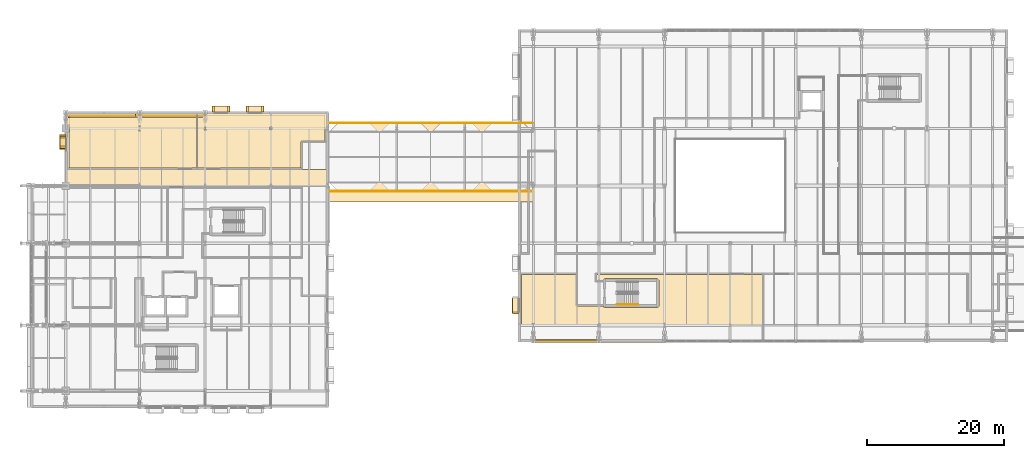
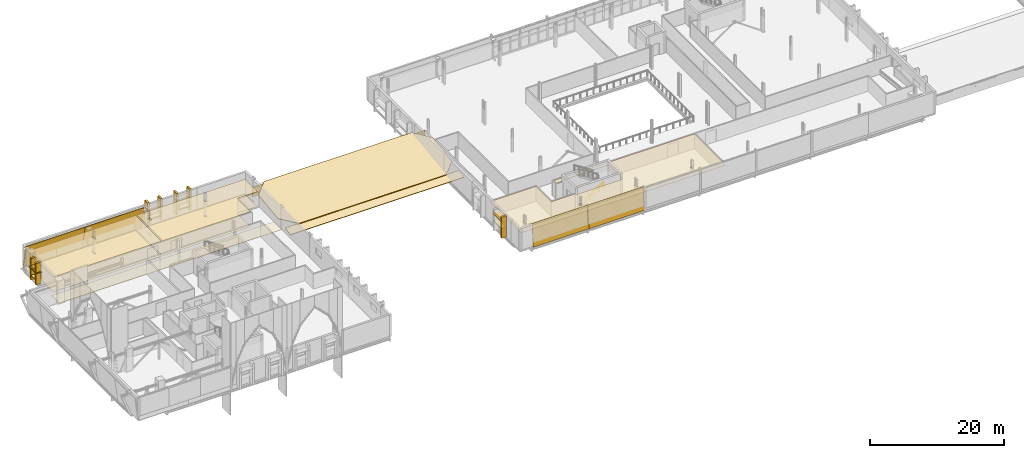
# One storey, part 76 of 90: 30 coverings, 2 shading devices, 1 railing.
"""IFC4 building model written with IfcOpenShell, lengths in metres."""

import ifcopenshell
import ifcopenshell.guid

model = None  # the IFC model being written
_history = None  # IfcOwnerHistory: only IFC2X3 demands one
_inside = {}  # id of a spatial element -> (the spatial element, [elements in it])
_under = {}  # id of a project, library or spatial element -> (it, [spatial elements below it])
_declared = {}  # id of a project -> (the project, [libraries it declares])
_typed = {}  # id of a type object -> (the type object, [elements of that type])
_made_of = {}  # id of a material, layer set ... -> (it, [elements and type objects made of it])


def new_model(schema):
    """Start an empty IFC model of exactly this schema.

    Asked for "IFC4X3", IfcOpenShell would pick the latest addendum, in which some entities
    have other attributes; the version numbers below select the first issue.
    IFC2X3 requires an IfcOwnerHistory on every rooted entity: one is made here for all.
    """
    global model, _history
    if schema == "IFC4X3":
        model = ifcopenshell.file(schema_version=(4, 3, 0, 0))
    else:
        model = ifcopenshell.file(schema=schema)
    _inside.clear()
    _under.clear()
    _declared.clear()
    _typed.clear()
    _made_of.clear()
    _history = None
    if model.schema == "IFC2X3":
        org = make("IfcOrganization", Name="unknown")
        user = make(
            "IfcPersonAndOrganization",
            ThePerson=make("IfcPerson", FamilyName="unknown"),
            TheOrganization=org,
        )
        app = make(
            "IfcApplication",
            ApplicationDeveloper=org,
            Version="unknown",
            ApplicationFullName="unknown",
            ApplicationIdentifier="unknown",
        )
        _history = make(
            "IfcOwnerHistory",
            OwningUser=user,
            OwningApplication=app,
            ChangeAction="ADDED",
            CreationDate=0,
        )
    return model


def make(cls, **values):
    """One entity of the class cls with the attributes given. An attribute that is None is left unset."""
    return model.create_entity(
        cls, **{name: value for name, value in values.items() if value is not None}
    )


def rooted(cls, **values):
    """An entity with a GlobalId (a new one), such as an element, a storey or a relation."""
    return make(cls, GlobalId=ifcopenshell.guid.new(), OwnerHistory=_history, **values)


def si_unit(unit_type, name, prefix=None):
    """IfcSIUnit, for example si_unit("LENGTHUNIT", "METRE", prefix="MILLI")."""
    return make("IfcSIUnit", UnitType=unit_type, Prefix=prefix, Name=name)


def assignment(units):
    """IfcUnitAssignment: the units of a project."""
    return None if units is None else make("IfcUnitAssignment", Units=units)


def point(xyz):
    """IfcCartesianPoint."""
    return None if xyz is None else make("IfcCartesianPoint", Coordinates=xyz)


def direction(xyz):
    """IfcDirection."""
    return None if xyz is None else make("IfcDirection", DirectionRatios=xyz)


def frame(location, z_axis=None, x_axis=None):
    """IfcAxis2Placement3D, a coordinate frame: its origin and axes. An axis left out is left unset."""
    return make(
        "IfcAxis2Placement3D",
        Location=point(location),
        Axis=direction(z_axis),
        RefDirection=direction(x_axis),
    )


def frame_2d(location, x_axis=None):
    """IfcAxis2Placement2D, a coordinate frame in the plane: its origin and x axis."""
    return make(
        "IfcAxis2Placement2D", Location=point(location), RefDirection=direction(x_axis)
    )


def origin():
    """The frame at (0, 0, 0) with its axes left unset."""
    return frame((0.0, 0.0, 0.0))


def origin_2d():
    """The frame at (0, 0) in the plane with its x axis left unset."""
    return frame_2d((0.0, 0.0))


def place(relative_to, where):
    """IfcLocalPlacement: puts the frame where relative to a parent placement (None: the world)."""
    return make(
        "IfcLocalPlacement", PlacementRelTo=relative_to, RelativePlacement=where
    )


def context(
    kind, dimensions, precision=None, world=None, true_north=None, identifier=None
):
    """IfcGeometricRepresentationContext, for example the 3D "Model" context."""
    return make(
        "IfcGeometricRepresentationContext",
        ContextIdentifier=identifier,
        ContextType=kind,
        CoordinateSpaceDimension=dimensions,
        Precision=precision,
        WorldCoordinateSystem=world,
        TrueNorth=true_north,
    )


def subcontext(parent, identifier, kind, view, scale=None):
    """IfcGeometricRepresentationSubContext, for example "Body" below "Model"."""
    return make(
        "IfcGeometricRepresentationSubContext",
        ContextIdentifier=identifier,
        ContextType=kind,
        ParentContext=parent,
        TargetScale=scale,
        TargetView=view,
    )


def project(units=None, contexts=None):
    """IfcProject with its units and contexts."""
    return rooted(
        "IfcProject",
        Name="project",
        RepresentationContexts=contexts,
        UnitsInContext=assignment(units),
    )


def spatial(cls, under=None, at=None, **own):
    """A site, building, storey or space (cls), placed at a placement, below another one or the project."""
    s = rooted(cls, ObjectPlacement=at, **own)
    if under is not None:
        _under.setdefault(under.id(), (under, []))[1].append(s)
    return s


def polyline(points):
    """IfcPolyline through the points."""
    return make("IfcPolyline", Points=[point(p) for p in points])


def profile(cls, at=None, kind="AREA", **sizes):
    """A parametric profile (cls). Its sizes go by their IFC names, for example OverallWidth=200.0."""
    return make(cls, ProfileType=kind, Position=at, **sizes)


def rectangle(**sizes):
    """IfcRectangleProfileDef."""
    return profile("IfcRectangleProfileDef", **sizes)


def circle(**sizes):
    """IfcCircleProfileDef."""
    return profile("IfcCircleProfileDef", **sizes)


def outline(outer, holes=None, kind="AREA"):
    """IfcArbitraryClosedProfileDef: a profile drawn as a closed curve; with holes, ...WithVoids."""
    if holes is None:
        return make("IfcArbitraryClosedProfileDef", ProfileType=kind, OuterCurve=outer)
    return make(
        "IfcArbitraryProfileDefWithVoids",
        ProfileType=kind,
        OuterCurve=outer,
        InnerCurves=holes,
    )


def extrude(swept, where, along, depth):
    """IfcExtrudedAreaSolid: the profile swept, set in the frame where, extruded along a direction by depth."""
    return make(
        "IfcExtrudedAreaSolid",
        SweptArea=swept,
        Position=where,
        ExtrudedDirection=direction(along),
        Depth=depth,
    )


def shape(context_of_items, identifier, shape_type, items):
    """IfcShapeRepresentation: the items that make up one representation, for example the "Body"."""
    return make(
        "IfcShapeRepresentation",
        ContextOfItems=context_of_items,
        RepresentationIdentifier=identifier,
        RepresentationType=shape_type,
        Items=items,
    )


def material(Name=None, Category=None):
    """IfcMaterial."""
    return make("IfcMaterial", Name=Name, Category=Category)


def layer(
    of_material, thickness, ventilated=None, Name=None, Category=None, Priority=None
):
    """IfcMaterialLayer: one layer of a wall or slab, of a material (None: an air gap)."""
    return make(
        "IfcMaterialLayer",
        Material=of_material,
        LayerThickness=thickness,
        IsVentilated=ventilated,
        Name=Name,
        Category=Category,
        Priority=Priority,
    )


def layer_set(layers, Name=None):
    """IfcMaterialLayerSet."""
    return make("IfcMaterialLayerSet", MaterialLayers=layers, LayerSetName=Name)


def made_of(thing, what):
    """Note that an element or type object is made of a material, layer set ...; save() writes the relation."""
    if what is not None:
        _made_of.setdefault(what.id(), (what, []))[1].append(thing)
    return thing


def type_object(cls, material=None, **own):
    """A type object (cls), such as IfcWallType, which elements share."""
    return made_of(rooted(cls, **own), material)


def element(
    cls,
    number,
    at=None,
    inside=None,
    cuts=None,
    type_object=None,
    material=None,
    context=None,
    identifier="Body",
    shape_type=None,
    held_by="IfcProductDefinitionShape",
    body=None,
    shapes=None,
    **own,
):
    """One element of the class cls, such as IfcWall. Its Tag is "e" and its number.

    at: its placement. inside: the storey or other place that contains it. cuts: it is an
    opening in that element (IfcRelVoidsElement). A single representation is given by context,
    identifier, shape_type and body (its items); several are given by shapes. held_by: the class
    of the entity that holds the representations. save() writes the other relations.
    """
    e = rooted(cls, Tag="e%d" % number, ObjectPlacement=at, **own)
    if body is not None:
        shapes = [shape(context, identifier, shape_type, body)]
    if shapes is not None:
        e.Representation = make(held_by, Representations=shapes)
    if inside is not None:
        _inside.setdefault(inside.id(), (inside, []))[1].append(e)
    if cuts is not None:
        rooted(
            "IfcRelVoidsElement", RelatingBuildingElement=cuts, RelatedOpeningElement=e
        )
    if type_object is not None:
        _typed.setdefault(type_object.id(), (type_object, []))[1].append(e)
    return made_of(e, material)


def aggregate(whole, parts):
    """IfcRelAggregates: a whole, such as a stair, and the parts it consists of."""
    return rooted("IfcRelAggregates", RelatingObject=whole, RelatedObjects=parts)


def save(model, path):
    """Write the relations noted so far, then the file.

    IfcRelAggregates (storeys below a building ...), IfcRelContainedInSpatialStructure (elements
    in a storey), IfcRelDefinesByType, IfcRelAssociatesMaterial and IfcRelDeclares: one each for
    every whole, place, type object, material and project.
    """
    for whole, parts in _under.values():
        aggregate(whole, parts)
    for where, things in _inside.values():
        rooted(
            "IfcRelContainedInSpatialStructure",
            RelatedElements=things,
            RelatingStructure=where,
        )
    for kind, things in _typed.values():
        rooted("IfcRelDefinesByType", RelatedObjects=things, RelatingType=kind)
    for what, things in _made_of.values():
        rooted("IfcRelAssociatesMaterial", RelatedObjects=things, RelatingMaterial=what)
    for by, libraries in _declared.values():
        rooted("IfcRelDeclares", RelatingContext=by, RelatedDefinitions=libraries)
    model.write(path)


model = new_model("IFC4")

# Units and contexts
model_context = context("Model", 3, precision=1e-05, world=origin(), true_north=direction((0.0, 1.0)))
body_context = subcontext(model_context, "Body", "Model", "MODEL_VIEW")
ifc_project = project(units=[si_unit("LENGTHUNIT", "METRE"), si_unit("AREAUNIT", "SQUARE_METRE"), si_unit("VOLUMEUNIT", "CUBIC_METRE"), si_unit("PLANEANGLEUNIT", "RADIAN"), si_unit("MASSUNIT", "GRAM", prefix="KILO")], contexts=[model_context])

# Site, building, storey
site_placement = place(None, origin())
site = spatial("IfcSite", under=ifc_project, at=site_placement, CompositionType="ELEMENT")
building_placement = place(site_placement, origin())
building = spatial("IfcBuilding", under=site, at=building_placement, Name="Zereglee Splitstone Museum", CompositionType="ELEMENT")
storey_placement = place(building_placement, frame((0.0, 0.0, 4.800048828125)))
storey = spatial("IfcBuildingStorey", under=building, at=storey_placement, Name="L01", CompositionType="ELEMENT", Elevation=4.800048828125)

# Coverings
ifc_material_1 = material(Name="Siberian larch acoustic timber ceiling", Category="wood")
ifc_layer_1 = layer(ifc_material_1, 0.06005859375)
ifc_layer_set_1 = layer_set([ifc_layer_1], Name="Siberian larch acoustic timber ceiling")
covering_type_1 = type_object("IfcCoveringType", Name="CLG-01", PredefinedType="CEILING", material=ifc_layer_set_1)
covering_1_placement = place(storey_placement, frame((0.0, 0.0, 2.699951171875)))
element("IfcCovering", 1, at=covering_1_placement, inside=storey, type_object=covering_type_1, Name="Acoustic Ceiling L01-022", PredefinedType="CEILING", context=body_context, shape_type="SweptSolid", body=[
    extrude(outline(polyline([(10.06005859375, 37.842041015625), (10.157958984375, 37.842041015625), (10.157958984375, 38.9580078125), (10.06005859375, 38.9580078125), (10.06005859375, 40.340087890625), (28.699951171875, 40.340087890625), (28.699951171875, 32.580078125), (10.06005859375, 32.580078125), (10.06005859375, 37.842041015625)]), holes=[polyline([(20.55810546875, 38.758056640625), (20.241943359375, 38.758056640625), (20.241943359375, 38.7099609375), (20.383544921875, 38.7099609375), (20.383544921875, 38.090087890625), (20.241943359375, 38.090087890625), (20.241943359375, 38.0419921875), (20.55810546875, 38.0419921875), (20.55810546875, 38.090087890625), (20.41650390625, 38.090087890625), (20.41650390625, 38.7099609375), (20.55810546875, 38.7099609375), (20.55810546875, 38.758056640625)])]), origin(), (0.0, 0.0, 1.0), 0.06005859375),
])
covering_2_placement = place(storey_placement, frame((0.0, 0.0, 2.699951171875)))
element("IfcCovering", 2, at=covering_2_placement, inside=storey, type_object=covering_type_1, Name="Acoustic Ceiling L01-023", PredefinedType="CEILING", context=body_context, shape_type="SweptSolid", body=[
    extrude(outline(polyline([(44.198974609375, 36.580078125), (44.183349609375, 36.5791015625), (44.181396484375, 36.5791015625), (44.166015625, 36.57666015625), (44.163818359375, 36.576416015625), (44.148681640625, 36.572509765625), (44.146728515625, 36.572021484375), (44.132080078125, 36.566650390625), (44.130126953125, 36.56591796875), (44.115966796875, 36.55908203125), (44.1142578125, 36.558349609375), (44.100830078125, 36.55029296875), (44.09912109375, 36.549072265625), (44.086669921875, 36.539794921875), (44.085205078125, 36.53857421875), (44.073486328125, 36.528076171875), (44.072021484375, 36.526611328125), (44.0615234375, 36.514892578125), (44.060302734375, 36.513427734375), (44.05078125, 36.500732421875), (44.0498046875, 36.499267578125), (44.041748046875, 36.485595703125), (44.040771484375, 36.48388671875), (44.0341796875, 36.4697265625), (44.033203125, 36.468017578125), (44.028076171875, 36.453125), (44.027587890625, 36.451416015625), (44.023681640625, 36.43603515625), (44.023193359375, 36.43408203125), (44.02099609375, 36.418701171875), (44.020751953125, 36.416748046875), (44.02001953125, 36.40087890625), (44.02001953125, 36.39990234375), (44.02001953125, 32.580078125), (28.89990234375, 32.580078125), (28.89990234375, 40.340087890625), (47.5400390625, 40.340087890625), (47.5400390625, 36.580078125), (44.199951171875, 36.580078125), (44.198974609375, 36.580078125)]), holes=[polyline([(39.4169921875, 38.5830078125), (39.4169921875, 38.217041015625), (39.782958984375, 38.217041015625), (39.782958984375, 38.5830078125), (39.4169921875, 38.5830078125)]), polyline([(30.157958984375, 38.591064453125), (30.157958984375, 38.633056640625), (29.842041015625, 38.633056640625), (29.842041015625, 38.591064453125), (29.985107421875, 38.591064453125), (29.985107421875, 38.208984375), (29.842041015625, 38.208984375), (29.842041015625, 38.1669921875), (30.157958984375, 38.1669921875), (30.157958984375, 38.208984375), (30.014892578125, 38.208984375), (30.014892578125, 38.591064453125), (30.157958984375, 38.591064453125)])]), origin(), (0.0, 0.0, 1.0), 0.06005859375),
])
covering_3_placement = place(storey_placement, frame((0.0, 0.0, 2.699951171875)))
element("IfcCovering", 3, at=covering_3_placement, inside=storey, type_object=covering_type_1, Name="Acoustic Ceiling L01-024", PredefinedType="CEILING", context=body_context, shape_type="SweptSolid", body=[
    extrude(outline(polyline([(87.280029296875, 17.02001953125), (111.5, 17.02001953125), (111.5, 7.659912109375), (76.260009765625, 7.659912109375), (76.260009765625, 17.02001953125), (84.219970703125, 17.02001953125), (84.219970703125, 12.60009765625), (84.219970703125, 12.59912109375), (84.220703125, 12.583251953125), (84.220947265625, 12.581298828125), (84.223388671875, 12.56591796875), (84.2236328125, 12.56396484375), (84.2275390625, 12.548583984375), (84.22802734375, 12.546875), (84.2333984375, 12.531982421875), (84.234130859375, 12.5302734375), (84.24072265625, 12.51611328125), (84.24169921875, 12.514404296875), (84.249755859375, 12.500732421875), (84.2509765625, 12.499267578125), (84.26025390625, 12.486572265625), (84.261474609375, 12.485107421875), (84.27197265625, 12.473388671875), (84.2734375, 12.471923828125), (84.28515625, 12.46142578125), (84.28662109375, 12.460205078125), (84.29931640625, 12.450927734375), (84.30078125, 12.44970703125), (84.314208984375, 12.441650390625), (84.31591796875, 12.44091796875), (84.330078125, 12.43408203125), (84.33203125, 12.433349609375), (84.3466796875, 12.427978515625), (84.3486328125, 12.427490234375), (84.364013671875, 12.423583984375), (84.365966796875, 12.42333984375), (84.38134765625, 12.4208984375), (84.38330078125, 12.4208984375), (84.39892578125, 12.419921875), (84.39990234375, 12.419921875), (88.22119140625, 12.419921875), (88.2294921875, 12.402099609375), (88.250732421875, 12.36669921875), (88.275390625, 12.33349609375), (88.302978515625, 12.302978515625), (88.33349609375, 12.275390625), (88.36669921875, 12.250732421875), (88.402099609375, 12.2294921875), (88.439208984375, 12.2119140625), (88.47802734375, 12.197998046875), (88.51806640625, 12.18798828125), (88.558837890625, 12.181884765625), (88.60009765625, 12.179931640625), (96.0, 12.179931640625), (96.041259765625, 12.181884765625), (96.081787109375, 12.18798828125), (96.121826171875, 12.197998046875), (96.16064453125, 12.2119140625), (96.197998046875, 12.2294921875), (96.2333984375, 12.250732421875), (96.266357421875, 12.275390625), (96.297119140625, 12.302978515625), (96.32470703125, 12.33349609375), (96.34912109375, 12.36669921875), (96.370361328125, 12.402099609375), (96.387939453125, 12.439208984375), (96.40185546875, 12.47802734375), (96.411865234375, 12.51806640625), (96.41796875, 12.558837890625), (96.419921875, 12.60009765625), (96.419921875, 16.0), (96.41796875, 16.041259765625), (96.411865234375, 16.081787109375), (96.40185546875, 16.121826171875), (96.387939453125, 16.16064453125), (96.370361328125, 16.197998046875), (96.34912109375, 16.2333984375), (96.32470703125, 16.266357421875), (96.297119140625, 16.297119140625), (96.266357421875, 16.32470703125), (96.2333984375, 16.34912109375), (96.197998046875, 16.370361328125), (96.16064453125, 16.387939453125), (96.121826171875, 16.40185546875), (96.081787109375, 16.411865234375), (96.041259765625, 16.41796875), (96.0, 16.419921875), (88.60009765625, 16.419921875), (88.558837890625, 16.41796875), (88.51806640625, 16.411865234375), (88.47802734375, 16.40185546875), (88.439208984375, 16.387939453125), (88.402099609375, 16.370361328125), (88.36669921875, 16.34912109375), (88.33349609375, 16.32470703125), (88.302978515625, 16.297119140625), (88.275390625, 16.266357421875), (88.250732421875, 16.2333984375), (88.2294921875, 16.197998046875), (88.22119140625, 16.179931640625), (87.280029296875, 16.179931640625), (87.280029296875, 17.02001953125)]), holes=[polyline([(78.157958984375, 9.85791015625), (77.842041015625, 9.85791015625), (77.842041015625, 9.81396484375), (77.98486328125, 9.81396484375), (77.98486328125, 9.385986328125), (77.842041015625, 9.385986328125), (77.842041015625, 9.342041015625), (78.157958984375, 9.342041015625), (78.157958984375, 9.385986328125), (78.01513671875, 9.385986328125), (78.01513671875, 9.81396484375), (78.157958984375, 9.81396484375), (78.157958984375, 9.85791015625)]), polyline([(97.35791015625, 9.907958984375), (97.0419921875, 9.907958984375), (97.0419921875, 9.862060546875), (97.184326171875, 9.862060546875), (97.184326171875, 9.337890625), (97.0419921875, 9.337890625), (97.0419921875, 9.2919921875), (97.35791015625, 9.2919921875), (97.35791015625, 9.337890625), (97.2158203125, 9.337890625), (97.2158203125, 9.862060546875), (97.35791015625, 9.862060546875), (97.35791015625, 9.907958984375)]), polyline([(106.9580078125, 9.7880859375), (106.64208984375, 9.7880859375), (106.64208984375, 9.74951171875), (106.78564453125, 9.74951171875), (106.78564453125, 9.450439453125), (106.64208984375, 9.450439453125), (106.64208984375, 9.412109375), (106.9580078125, 9.412109375), (106.9580078125, 9.450439453125), (106.814208984375, 9.450439453125), (106.814208984375, 9.74951171875), (106.9580078125, 9.74951171875), (106.9580078125, 9.7880859375)]), polyline([(87.680908203125, 9.40478515625), (87.71728515625, 9.42431640625), (87.749267578125, 9.45068359375), (87.775634765625, 9.482666015625), (87.795166015625, 9.519287109375), (87.80712890625, 9.558837890625), (87.811279296875, 9.60009765625), (87.80712890625, 9.64111328125), (87.795166015625, 9.680908203125), (87.775634765625, 9.71728515625), (87.749267578125, 9.749267578125), (87.71728515625, 9.775634765625), (87.680908203125, 9.795166015625), (87.64111328125, 9.80712890625), (87.60009765625, 9.811279296875), (87.558837890625, 9.80712890625), (87.519287109375, 9.795166015625), (87.482666015625, 9.775634765625), (87.45068359375, 9.749267578125), (87.42431640625, 9.71728515625), (87.40478515625, 9.680908203125), (87.392822265625, 9.64111328125), (87.388916015625, 9.60009765625), (87.392822265625, 9.558837890625), (87.40478515625, 9.519287109375), (87.42431640625, 9.482666015625), (87.45068359375, 9.45068359375), (87.482666015625, 9.42431640625), (87.519287109375, 9.40478515625), (87.558837890625, 9.392822265625), (87.60009765625, 9.388916015625), (87.64111328125, 9.392822265625), (87.680908203125, 9.40478515625)])]), origin(), (0.0, 0.0, 1.0), 0.06005859375),
])
ifc_material_2 = material(Name="Honed Gobi pale limestone stringcourse and soffit cladding", Category="masonry")
ifc_layer_2 = layer(ifc_material_2, 0.070068359375)
ifc_layer_set_2 = layer_set([ifc_layer_2], Name="Honed Gobi pale limestone stringcourse and soffit cladding")
covering_type_2 = type_object("IfcCoveringType", Name="CL-02", PredefinedType="CLADDING", material=ifc_layer_set_2)
for number, where, z_axis, x_axis, name in (
    (4, (38.409912109375, 41.22509765625, 0.0), (0.0, 0.0, 1.0), (-1.0, 0.0, 0.0), "Mughal Window Reveal Stone Pilaster L01-0029L"),
    (5, (36.169921875, 41.22509765625, 0.0), (0.0, 0.0, 1.0), (-1.0, 0.0, 0.0), "Mughal Window Reveal Stone Pilaster L01-0029R"),
):
    element("IfcCovering", number, at=place(storey_placement, frame(where, z_axis=z_axis, x_axis=x_axis)), inside=storey, type_object=covering_type_2, Name=name, PredefinedType="CLADDING", context=body_context, shape_type="SweptSolid", body=[
        extrude(rectangle(XDim=0.340087890625, YDim=0.860107421875, at=origin_2d()), origin(), (0.0, 0.0, 1.0), 3.89990234375),
    ])
covering_4_placement = place(storey_placement, frame((37.2900390625, 41.235107421875, 0.760009765625), z_axis=(0.0, 0.0, 1.0), x_axis=(-1.0, 0.0, 0.0)))
element("IfcCovering", 6, at=covering_4_placement, inside=storey, type_object=covering_type_2, Name="Carved Limestone Window Sill L01-0029", PredefinedType="CLADDING", context=body_context, shape_type="SweptSolid", body=[
    extrude(rectangle(XDim=2.43994140625, YDim=0.840087890625, at=origin_2d()), origin(), (0.0, 0.0, 1.0), 0.1201171875),
])
for number, where, z_axis, x_axis, name in (
    (7, (33.429931640625, 41.22509765625, 0.0), (0.0, 0.0, 1.0), (-1.0, 0.0, 0.0), "Mughal Window Reveal Stone Pilaster L01-0030L"),
    (8, (31.18994140625, 41.22509765625, 0.0), (0.0, 0.0, 1.0), (-1.0, 0.0, 0.0), "Mughal Window Reveal Stone Pilaster L01-0030R"),
):
    element("IfcCovering", number, at=place(storey_placement, frame(where, z_axis=z_axis, x_axis=x_axis)), inside=storey, type_object=covering_type_2, Name=name, PredefinedType="CLADDING", context=body_context, shape_type="SweptSolid", body=[
        extrude(rectangle(XDim=0.340087890625, YDim=0.860107421875, at=origin_2d()), origin(), (0.0, 0.0, 1.0), 3.89990234375),
    ])
covering_5_placement = place(storey_placement, frame((32.31005859375, 41.235107421875, 0.760009765625), z_axis=(0.0, 0.0, 1.0), x_axis=(-1.0, 0.0, 0.0)))
element("IfcCovering", 9, at=covering_5_placement, inside=storey, type_object=covering_type_2, Name="Carved Limestone Window Sill L01-0030", PredefinedType="CLADDING", context=body_context, shape_type="SweptSolid", body=[
    extrude(rectangle(XDim=2.43994140625, YDim=0.840087890625, at=origin_2d()), origin(), (0.0, 0.0, 1.0), 0.1201171875),
])
for number, where, z_axis, x_axis, name in (
    (10, (9.175048828125, 37.135009765625, 0.0), (0.0, 0.0, 1.0), (0.0, -1.0, 0.0), "Mughal Window Reveal Stone Pilaster L01-0031L"),
    (11, (9.175048828125, 35.64501953125, 0.0), (0.0, 0.0, 1.0), (0.0, -1.0, 0.0), "Mughal Window Reveal Stone Pilaster L01-0031R"),
):
    element("IfcCovering", number, at=place(storey_placement, frame(where, z_axis=z_axis, x_axis=x_axis)), inside=storey, type_object=covering_type_2, Name=name, PredefinedType="CLADDING", context=body_context, shape_type="SweptSolid", body=[
        extrude(rectangle(XDim=0.340087890625, YDim=0.860107421875, at=origin_2d()), origin(), (0.0, 0.0, 1.0), 3.89990234375),
    ])
covering_6_placement = place(storey_placement, frame((9.1650390625, 36.389892578125, 0.760009765625), z_axis=(0.0, 0.0, 1.0), x_axis=(0.0, -1.0, 0.0)))
element("IfcCovering", 12, at=covering_6_placement, inside=storey, type_object=covering_type_2, Name="Carved Limestone Window Sill L01-0031", PredefinedType="CLADDING", context=body_context, shape_type="SweptSolid", body=[
    extrude(rectangle(XDim=1.68994140625, YDim=0.840087890625, at=origin_2d()), origin(), (0.0, 0.0, 1.0), 0.1201171875),
])
covering_7_placement = place(storey_placement, frame((75.375, 11.389892578125, 0.0), z_axis=(0.0, 0.0, 1.0), x_axis=(0.0, -1.0, 0.0)))
element("IfcCovering", 13, at=covering_7_placement, inside=storey, type_object=covering_type_2, Name="Mughal Window Reveal Stone Pilaster L01-0035R", PredefinedType="CLADDING", context=body_context, shape_type="SweptSolid", body=[
    extrude(rectangle(XDim=0.340087890625, YDim=0.860107421875, at=origin_2d()), origin(), (0.0, 0.0, 1.0), 3.89990234375),
])
covering_8_placement = place(storey_placement, frame((75.364990234375, 12.510009765625, 1.659912109375), z_axis=(0.0, 0.0, 1.0), x_axis=(0.0, -1.0, 0.0)))
element("IfcCovering", 14, at=covering_8_placement, inside=storey, type_object=covering_type_2, Name="Carved Limestone Window Sill L01-0035", PredefinedType="CLADDING", context=body_context, shape_type="SweptSolid", body=[
    extrude(rectangle(XDim=2.43994140625, YDim=0.840087890625, at=origin_2d()), origin(), (0.0, 0.0, 1.0), 0.1201171875),
])
covering_9_placement = place(storey_placement, frame((0.0, 0.0, -0.35009765625)))
element("IfcCovering", 15, at=covering_9_placement, inside=storey, type_object=covering_type_2, Name="Hovering Stone Plinth Soffit Apron 003", PredefinedType="CLADDING", context=body_context, shape_type="SweptSolid", body=[
    extrude(outline(polyline([(9.60009765625, 30.0), (48.0, 30.0), (48.0, 32.35009765625), (9.60009765625, 32.35009765625), (9.60009765625, 30.0)])), origin(), (0.0, 0.0, 1.0), 0.070068359375),
])
covering_10_placement = place(storey_placement, frame((0.0, 0.0, -0.35009765625)))
element("IfcCovering", 16, at=covering_10_placement, inside=storey, type_object=covering_type_2, Name="Hovering Stone Plinth Soffit Apron 004", PredefinedType="CLADDING", context=body_context, shape_type="SweptSolid", body=[
    extrude(outline(polyline([(9.60009765625, 38.449951171875), (48.0, 38.449951171875), (48.0, 40.800048828125), (9.60009765625, 40.800048828125), (9.60009765625, 38.449951171875)])), origin(), (0.0, 0.0, 1.0), 0.070068359375),
])
ifc_material_3 = material(Name="Honed Khoroo red sandstone ventilated rainscreen", Category="masonry")
ifc_layer_3 = layer(ifc_material_3, 0.080078125)
ifc_layer_set_3 = layer_set([ifc_layer_3], Name="Honed Khoroo red sandstone ventilated rainscreen")
covering_type_3 = type_object("IfcCoveringType", Name="CL-01", PredefinedType="CLADDING", material=ifc_layer_set_3)
for number, where, z_axis, x_axis, name in (
    (17, (37.2900390625, 41.235107421875, 2.059814453125), (0.0, 0.0, 1.0), (-1.0, 0.0, 0.0), "Pointed-Arch Mughal Window Hood L01-0029"),
    (18, (32.31005859375, 41.235107421875, 2.059814453125), (0.0, 0.0, 1.0), (-1.0, 0.0, 0.0), "Pointed-Arch Mughal Window Hood L01-0030"),
):
    element("IfcCovering", number, at=place(storey_placement, frame(where, z_axis=z_axis, x_axis=x_axis)), inside=storey, type_object=covering_type_3, Name=name, PredefinedType="CLADDING", context=body_context, shape_type="SweptSolid", body=[
        extrude(rectangle(XDim=2.43994140625, YDim=0.860107421875, at=origin_2d()), origin(), (0.0, 0.0, 1.0), 0.580078125),
    ])
covering_11_placement = place(storey_placement, frame((9.1650390625, 36.389892578125, 2.059814453125), z_axis=(0.0, 0.0, 1.0), x_axis=(0.0, -1.0, 0.0)))
element("IfcCovering", 19, at=covering_11_placement, inside=storey, type_object=covering_type_3, Name="Pointed-Arch Mughal Window Hood L01-0031", PredefinedType="CLADDING", context=body_context, shape_type="SweptSolid", body=[
    extrude(rectangle(XDim=1.68994140625, YDim=0.860107421875, at=origin_2d()), origin(), (0.0, 0.0, 1.0), 0.580078125),
])
covering_12_placement = place(storey_placement, frame((75.364990234375, 12.510009765625, 2.9599609375), z_axis=(0.0, 0.0, 1.0), x_axis=(0.0, -1.0, 0.0)))
element("IfcCovering", 20, at=covering_12_placement, inside=storey, type_object=covering_type_3, Name="Pointed-Arch Mughal Window Hood L01-0035", PredefinedType="CLADDING", context=body_context, shape_type="SweptSolid", body=[
    extrude(rectangle(XDim=2.43994140625, YDim=0.860107421875, at=origin_2d()), origin(), (0.0, 0.0, 1.0), 0.580078125),
])
for number, where, z_axis, x_axis, name in (
    (21, (9.60009765625, 40.0732421875, 3.949951171875), (0.0, 0.98163181325, 0.190785175566), (1.0, 0.0, 0.0), "Split-Rock Continuous Inclined Facet FH-V1NL-N L01.1"),
    (22, (19.800048828125, 40.0732421875, 3.949951171875), (0.0, 0.98163181325, 0.190785175566), (1.0, 0.0, 0.0), "Split-Rock Continuous Inclined Facet FH-V1NL-N L01.2"),
):
    element("IfcCovering", number, at=place(storey_placement, frame(where, z_axis=z_axis, x_axis=x_axis)), inside=storey, type_object=covering_type_3, Name=name, PredefinedType="CLADDING", context=body_context, shape_type="SweptSolid", body=[
        extrude(outline(polyline([(0.0, 0.0), (10.199951171875, 0.0), (10.199951171875, 4.1768182335854345), (0.0, 4.1768182335854345), (0.0, 0.0)])), origin(), (0.0, 0.0, -1.0), 0.080078125),
    ])
covering_13_placement = place(storey_placement, frame((78.0, 7.080078125, -0.150146484375), z_axis=(0.0, -0.995859600442, 0.090904654488), x_axis=(1.0, 0.0, 0.0)))
element("IfcCovering", 23, at=covering_13_placement, inside=storey, type_object=covering_type_3, Name="Split-Rock Continuous Inclined Facet FH-V2SW L01.1", PredefinedType="CLADDING", context=body_context, shape_type="SweptSolid", body=[
    extrude(outline(polyline([(0.0, 0.0), (9.60009765625, 0.0), (9.60009765625, 4.117144278601649), (0.0, 4.117144278601649), (0.0, 0.0)])), origin(), (0.0, 0.0, -1.0), 0.080078125),
])
covering_14_placement = place(storey_placement, frame((87.60009765625, 7.080078125, -0.150146484375), z_axis=(0.0, -0.995859600442, 0.090904654488), x_axis=(1.0, 0.0, 0.0)))
element("IfcCovering", 24, at=covering_14_placement, inside=storey, type_object=covering_type_3, Name="Split-Rock Continuous Inclined Facet FH-V2SW L01.2", PredefinedType="CLADDING", context=body_context, shape_type="SweptSolid", body=[
    extrude(outline(polyline([(0.0, 0.0), (9.599853515625, 0.0), (9.599853515625, 4.117144278601649), (0.0, 4.117144278601649), (0.0, 0.0)])), origin(), (0.0, 0.0, -1.0), 0.080078125),
])
covering_15_placement = place(storey_placement, frame((48.14990234375, 29.14990234375, 0.0), z_axis=(0.0, -1.0, 0.0), x_axis=(1.0, 0.0, 0.0)))
element("IfcCovering", 25, at=covering_15_placement, inside=storey, type_object=covering_type_3, Name="Raked Attic Split-Rock Cladding RF-L1 S", PredefinedType="CLADDING", context=body_context, shape_type="SweptSolid", body=[
    extrude(outline(polyline([(0.0, 0.0), (29.7001953125, 0.0), (29.7001953125, 0.4345703125), (0.0, 0.4345703125), (0.0, 0.0)])), origin(), (0.0, 0.0, -1.0), 0.1201171875),
])
covering_16_placement = place(storey_placement, frame((48.14990234375, 39.25, 1.75537109375), z_axis=(0.0, 1.0, 0.0), x_axis=(1.0, 0.0, 0.0)))
element("IfcCovering", 26, at=covering_16_placement, inside=storey, type_object=covering_type_3, Name="Raked Attic Split-Rock Cladding RF-L1 N", PredefinedType="CLADDING", context=body_context, shape_type="SweptSolid", body=[
    extrude(outline(polyline([(0.0, 0.0), (29.7001953125, 0.0), (29.7001953125, 1.75537109375), (0.0, 1.75537109375), (0.0, 0.0)])), origin(), (0.0, 0.0, -1.0), 0.1201171875),
])
ifc_material_4 = material(Name="Honed Gobi granite terrazzo flooring", Category="masonry")
ifc_layer_4 = layer(ifc_material_4, 0.030029296875)
ifc_layer_set_4 = layer_set([ifc_layer_4], Name="Honed Gobi granite terrazzo flooring")
covering_type_4 = type_object("IfcCoveringType", Name="FLR-01", PredefinedType="FLOORING", material=ifc_layer_set_4)
covering_17_placement = place(storey_placement, origin())
element("IfcCovering", 27, at=covering_17_placement, inside=storey, type_object=covering_type_4, Name="Terrazzo Gallery Flooring L01-012", PredefinedType="FLOORING", context=body_context, shape_type="SweptSolid", body=[
    extrude(outline(polyline([(10.06005859375, 37.842041015625), (10.157958984375, 37.842041015625), (10.157958984375, 38.9580078125), (10.06005859375, 38.9580078125), (10.06005859375, 40.340087890625), (28.699951171875, 40.340087890625), (28.699951171875, 32.580078125), (10.06005859375, 32.580078125), (10.06005859375, 37.842041015625)]), holes=[polyline([(20.55810546875, 38.758056640625), (20.241943359375, 38.758056640625), (20.241943359375, 38.7099609375), (20.383544921875, 38.7099609375), (20.383544921875, 38.090087890625), (20.241943359375, 38.090087890625), (20.241943359375, 38.0419921875), (20.55810546875, 38.0419921875), (20.55810546875, 38.090087890625), (20.41650390625, 38.090087890625), (20.41650390625, 38.7099609375), (20.55810546875, 38.7099609375), (20.55810546875, 38.758056640625)])]), origin(), (0.0, 0.0, 1.0), 0.030029296875),
])
covering_18_placement = place(storey_placement, origin())
element("IfcCovering", 28, at=covering_18_placement, inside=storey, type_object=covering_type_4, Name="Terrazzo Gallery Flooring L01-013", PredefinedType="FLOORING", context=body_context, shape_type="SweptSolid", body=[
    extrude(outline(polyline([(44.198974609375, 36.580078125), (44.183349609375, 36.5791015625), (44.181396484375, 36.5791015625), (44.166015625, 36.57666015625), (44.163818359375, 36.576416015625), (44.148681640625, 36.572509765625), (44.146728515625, 36.572021484375), (44.132080078125, 36.566650390625), (44.130126953125, 36.56591796875), (44.115966796875, 36.55908203125), (44.1142578125, 36.558349609375), (44.100830078125, 36.55029296875), (44.09912109375, 36.549072265625), (44.086669921875, 36.539794921875), (44.085205078125, 36.53857421875), (44.073486328125, 36.528076171875), (44.072021484375, 36.526611328125), (44.0615234375, 36.514892578125), (44.060302734375, 36.513427734375), (44.05078125, 36.500732421875), (44.0498046875, 36.499267578125), (44.041748046875, 36.485595703125), (44.040771484375, 36.48388671875), (44.0341796875, 36.4697265625), (44.033203125, 36.468017578125), (44.028076171875, 36.453125), (44.027587890625, 36.451416015625), (44.023681640625, 36.43603515625), (44.023193359375, 36.43408203125), (44.02099609375, 36.418701171875), (44.020751953125, 36.416748046875), (44.02001953125, 36.40087890625), (44.02001953125, 36.39990234375), (44.02001953125, 32.580078125), (28.89990234375, 32.580078125), (28.89990234375, 40.340087890625), (47.5400390625, 40.340087890625), (47.5400390625, 36.580078125), (44.199951171875, 36.580078125), (44.198974609375, 36.580078125)]), holes=[polyline([(39.4169921875, 38.5830078125), (39.4169921875, 38.217041015625), (39.782958984375, 38.217041015625), (39.782958984375, 38.5830078125), (39.4169921875, 38.5830078125)]), polyline([(30.157958984375, 38.591064453125), (30.157958984375, 38.633056640625), (29.842041015625, 38.633056640625), (29.842041015625, 38.591064453125), (29.985107421875, 38.591064453125), (29.985107421875, 38.208984375), (29.842041015625, 38.208984375), (29.842041015625, 38.1669921875), (30.157958984375, 38.1669921875), (30.157958984375, 38.208984375), (30.014892578125, 38.208984375), (30.014892578125, 38.591064453125), (30.157958984375, 38.591064453125)])]), origin(), (0.0, 0.0, 1.0), 0.030029296875),
])

# Railing
ifc_material_5 = material(Name="Architectural bronze tubular handrail", Category="steel")
railing_type = type_object("IfcRailingType", Name="HR-01", PredefinedType="HANDRAIL", material=ifc_material_5)
railing_placement = place(storey_placement, frame((90.25, 12.64990234375, 0.175048828125)))
element("IfcRailing", 29, at=railing_placement, inside=storey, type_object=railing_type, Name="L01 ST-06 stair handrail 1", PredefinedType="HANDRAIL", context=body_context, shape_type="SweptSolid", body=[
    extrude(circle(Radius=0.02392578125, at=origin_2d()), frame((0.0, 0.0, 0.8759765625), z_axis=(0.848028513186, 0.0, 0.529950602248), x_axis=(0.0, 1.0, 0.0)), (0.0, 0.0, 1.0), 3.632080078125),
    extrude(circle(Radius=0.02099609375, at=origin_2d()), origin(), (0.0, 0.0, 1.0), 0.851806640625),
    extrude(circle(Radius=0.02099609375, at=origin_2d()), frame((0.77001953125, 0.0, 0.481201171875)), (0.0, 0.0, 1.0), 0.851806640625),
    extrude(circle(Radius=0.02099609375, at=origin_2d()), frame((1.5400390625, 0.0, 0.96240234375)), (0.0, 0.0, 1.0), 0.851806640625),
    extrude(circle(Radius=0.02099609375, at=origin_2d()), frame((2.31005859375, 0.0, 1.443603515625)), (0.0, 0.0, 1.0), 0.851806640625),
    extrude(circle(Radius=0.02099609375, at=origin_2d()), frame((3.080078125, 0.0, 1.9248046875)), (0.0, 0.0, 1.0), 0.851806640625),
])

# Coverings
ifc_material_6 = material(Name="Honed Khoroo red sandstone chhajja eave coping", Category="masonry")
ifc_layer_5 = layer(ifc_material_6, 0.110107421875)
ifc_layer_set_5 = layer_set([ifc_layer_5], Name="Honed Khoroo red sandstone chhajja eave coping")
covering_type_5 = type_object("IfcCoveringType", Name="RF-C2", PredefinedType="ROOFING", material=ifc_layer_set_5)
covering_19_placement = place(storey_placement, frame((48.0, 27.60009765625, 0.18994140625), z_axis=(0.0, -0.202253592257, 0.979333183559), x_axis=(1.0, 0.0, 0.0)))
element("IfcCovering", 30, at=covering_19_placement, inside=storey, type_object=covering_type_5, Name="Projecting Mughal Chhajja Stone Eave RF-L1", PredefinedType="ROOFING", context=body_context, shape_type="SweptSolid", body=[
    extrude(outline(polyline([(0.0, 0.0), (30.0, 0.0), (30.0, 1.5825101339549066), (0.0, 1.5825101339549066), (0.0, 0.0)])), origin(), (0.0, 0.0, -1.0), 0.110107421875),
])
ifc_material_7 = material(Name="Pre-weathered quartz-zinc standing-seam roofing on rigid PIR insulation")
ifc_layer_6 = layer(ifc_material_7, 0.1201171875)
ifc_layer_set_6 = layer_set([ifc_layer_6], Name="Pre-weathered quartz-zinc standing-seam roofing on rigid PIR insulation")
covering_type_6 = type_object("IfcCoveringType", Name="RF-C1", PredefinedType="ROOFING", material=ifc_layer_set_6)
covering_20_placement = place(storey_placement, frame((50.2880859375, 29.0, 0.60498046875), z_axis=(0.0, -0.129655051743, 0.991559159888), x_axis=(1.0, 0.0, 0.0)))
element("IfcCovering", 31, at=covering_20_placement, inside=storey, type_object=covering_type_6, Name="Standing-Seam Zinc Roof Covering RF-L1", PredefinedType="ROOFING", context=body_context, shape_type="SweptSolid", body=[
    extrude(outline(polyline([(0.0, 0.0), (25.423828125, 0.0), (27.7119140625, 2.3075488000132336), (27.7119140625, 8.181124854838204), (25.423828125, 10.488431574978417), (0.0, 10.488431574978417), (-2.2880859375, 8.181124854838204), (-2.2880859375, 2.3075488000132336), (0.0, 0.0)])), origin(), (0.0, 0.0, -1.0), 0.1201171875),
])

# Shading devices
ifc_material_8 = material(Name="Anodised bronze extruded aluminium chhajja brise-soleil", Category="aluminium")
ifc_layer_7 = layer(ifc_material_8, 0.080078125)
ifc_layer_set_7 = layer_set([ifc_layer_7], Name="Anodised bronze extruded aluminium chhajja brise-soleil")
shading_device_type = type_object("IfcShadingDeviceType", Name="SH-01", PredefinedType="SHUTTER", material=ifc_layer_set_7)
for number, where, z_axis, x_axis, name in (
    (32, (9.1650390625, 36.389892578125, 2.139892578125), (0.0, 0.0, 1.0), (0.0, -1.0, 0.0), "Chhajja Window Brise-Soleil 18"),
    (33, (75.364990234375, 12.510009765625, 3.039794921875), (0.0, 0.0, 1.0), (0.0, -1.0, 0.0), "Chhajja Window Brise-Soleil 22"),
):
    element("IfcShadingDevice", number, at=place(storey_placement, frame(where, z_axis=z_axis, x_axis=x_axis)), inside=storey, type_object=shading_device_type, Name=name, PredefinedType="SHUTTER", context=body_context, shape_type="SweptSolid", body=[
        extrude(rectangle(XDim=2.199951171875, YDim=0.97998046875, at=origin_2d()), origin(), (0.0, 0.0, 1.0), 0.080078125),
    ])

save(model, "model.ifc")
